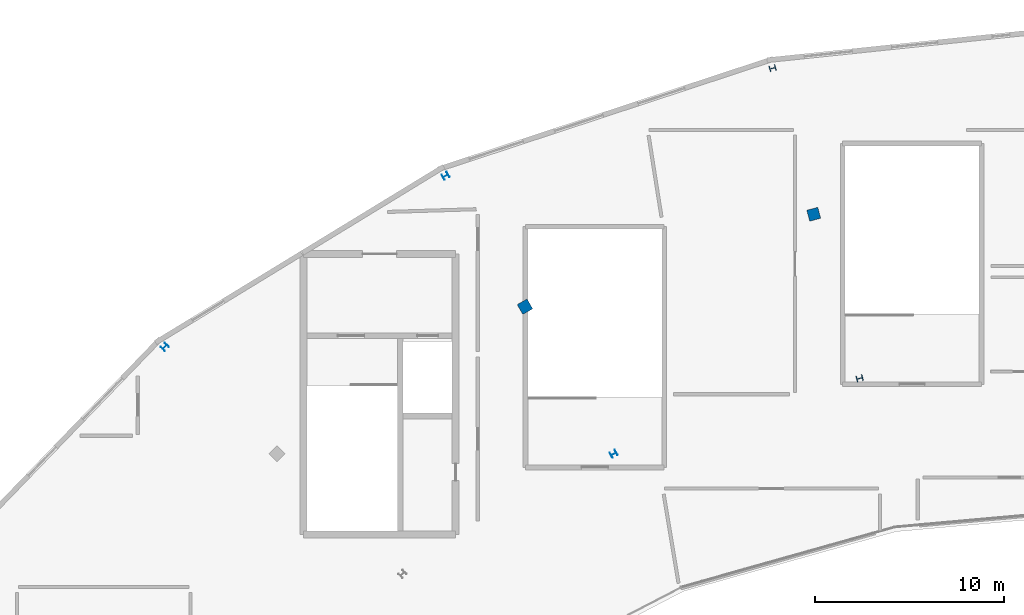
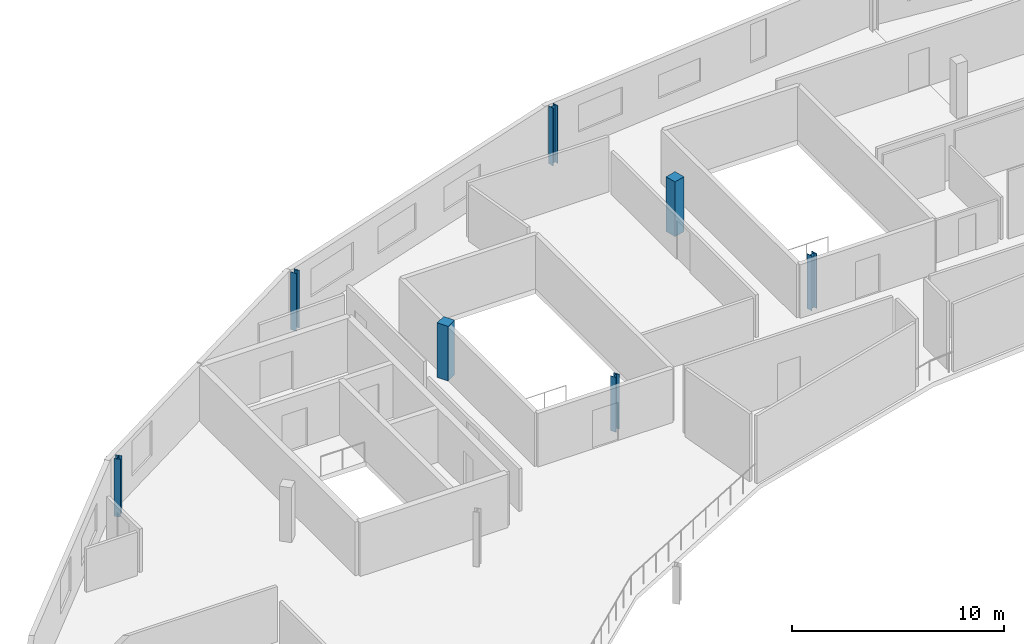
# One storey, part 8 of 35: 7 columns.
"""IFC4 building model written with IfcOpenShell, lengths in metres."""

from ifc_helpers import new_model, si_unit, direction, frame, origin, origin_2d, place, context, subcontext, project, spatial, rectangle, i_section, extrude, material, material_profile, profile_set, type_object, element, save


model = new_model("IFC4")

# Units and contexts
model_context = context("Model", 3, precision=1e-05, world=origin(), true_north=direction((0.0, 1.0)))
body_context = subcontext(model_context, "Body", "Model", "MODEL_VIEW")
ifc_project = project(units=[si_unit("LENGTHUNIT", "METRE"), si_unit("AREAUNIT", "SQUARE_METRE"), si_unit("VOLUMEUNIT", "CUBIC_METRE"), si_unit("PLANEANGLEUNIT", "RADIAN"), si_unit("MASSUNIT", "GRAM", prefix="KILO")], contexts=[model_context])

# Site, building, storey
site_placement = place(None, origin())
site = spatial("IfcSite", under=ifc_project, at=site_placement, CompositionType="ELEMENT")
building_placement = place(site_placement, origin())
building = spatial("IfcBuilding", under=site, at=building_placement, Name="Kalgoora Escarpment Arena", CompositionType="ELEMENT")
storey_placement = place(building_placement, frame((0.0, 0.0, 23.39990234375)))
storey = spatial("IfcBuildingStorey", under=building, at=storey_placement, Name="L05", CompositionType="ELEMENT", Elevation=23.39990234375)

# Columns
ifc_material_1 = material(Name="Structural steel AS/NZS 3679 (300 MPa)", Category="steel")
ifc_material_profile_1 = material_profile(ifc_material_1, i_section(OverallWidth=0.30908203125, OverallDepth=0.321044921875, WebThickness=0.013916015625, FlangeThickness=0.021728515625, at=origin_2d()))
ifc_profile_set_1 = profile_set([ifc_material_profile_1], Name="Structural steel AS/NZS 3679 (300 MPa)")
column_type_1 = type_object("IfcColumnType", Name="COL-COL-310UC137", PredefinedType="COLUMN", material=ifc_profile_set_1)
for number, where, z_axis, x_axis, name in (
    (1, (73.81689453125, 119.057861328125, 0.0), (0.0, 0.0, 1.0), (-0.258819045103, 0.965925826289, 0.0), "L05 structural column COL-RCONC2-R08"),
    (2, (56.5, 113.36328125, 0.0), (0.0, 0.0, 1.0), (-0.5, 0.866025403784, 0.0), "L05 structural column COL-RCONC2-R09"),
    (3, (41.629638671875, 104.30517578125, 0.0), (0.0, 0.0, 1.0), (-0.707106781187, 0.707106781187, 0.0), "L05 structural column COL-RCONC2-R10"),
):
    element("IfcColumn", number, at=place(storey_placement, frame(where, z_axis=z_axis, x_axis=x_axis)), inside=storey, type_object=column_type_1, Name=name, PredefinedType="COLUMN", context=body_context, shape_type="SweptSolid", body=[
        extrude(i_section(OverallWidth=0.30908203125, OverallDepth=0.321044921875, WebThickness=0.013916015625, FlangeThickness=0.021728515625, at=origin_2d()), origin(), (0.0, 0.0, 1.0), 3.320068359375),
    ])
ifc_material_2 = material(Name="Structural steel AS/NZS 3679 (300 MPa)", Category="steel")
ifc_material_profile_2 = material_profile(ifc_material_2, i_section(OverallWidth=0.31103515625, OverallDepth=0.326904296875, WebThickness=0.015625, FlangeThickness=0.02490234375, at=origin_2d()))
ifc_profile_set_2 = profile_set([ifc_material_profile_2], Name="Structural steel AS/NZS 3679 (300 MPa)")
column_type_2 = type_object("IfcColumnType", Name="COL-COL-310UC158", PredefinedType="COLUMN", material=ifc_profile_set_2)
for number, where, z_axis, x_axis, name in (
    (4, (78.423828125, 102.636962890625, 0.0), (0.0, 0.0, 1.0), (-0.258819045103, 0.965925826289, 0.0), "L05 structural column COL-RMAIN-R08"),
    (5, (65.39990234375, 98.64111328125, 0.0), (0.0, 0.0, 1.0), (-0.5, 0.866025403784, 0.0), "L05 structural column COL-RMAIN-R09"),
):
    element("IfcColumn", number, at=place(storey_placement, frame(where, z_axis=z_axis, x_axis=x_axis)), inside=storey, type_object=column_type_2, Name=name, PredefinedType="COLUMN", context=body_context, shape_type="SweptSolid", body=[
        extrude(i_section(OverallWidth=0.31103515625, OverallDepth=0.326904296875, WebThickness=0.015625, FlangeThickness=0.02490234375, at=origin_2d()), origin(), (0.0, 0.0, 1.0), 3.150146484375),
    ])
ifc_material_3 = material(Name="Concrete N50 (fc' 50 MPa)", Category="concrete")
ifc_material_profile_3 = material_profile(ifc_material_3, rectangle(XDim=0.60009765625, YDim=0.60009765625, at=origin_2d()))
ifc_profile_set_3 = profile_set([ifc_material_profile_3], Name="Concrete N50 (fc' 50 MPa)")
column_type_3 = type_object("IfcColumnType", Name="COL-COL-RC600x600", PredefinedType="COLUMN", material=ifc_profile_set_3)
for number, where, z_axis, x_axis, name in (
    (6, (75.990966796875, 111.330322265625, 0.0), (0.0, 0.0, 1.0), (-0.258819045103, 0.965925826289, 0.0), "L05 structural column COL-RCONC1-R08"),
    (7, (60.699951171875, 106.435302734375, 0.0), (0.0, 0.0, 1.0), (-0.5, 0.866025403784, 0.0), "L05 structural column COL-RCONC1-R09"),
):
    element("IfcColumn", number, at=place(storey_placement, frame(where, z_axis=z_axis, x_axis=x_axis)), inside=storey, type_object=column_type_3, Name=name, PredefinedType="COLUMN", context=body_context, shape_type="SweptSolid", body=[
        extrude(rectangle(XDim=0.60009765625, YDim=0.60009765625, at=origin_2d()), origin(), (0.0, 0.0, 1.0), 3.150146484375),
    ])

save(model, "model.ifc")
